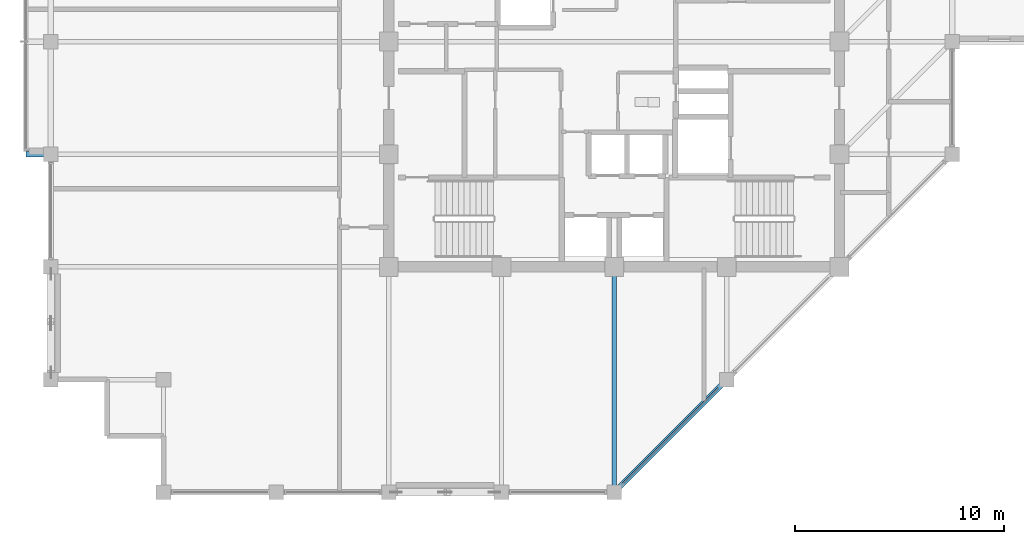
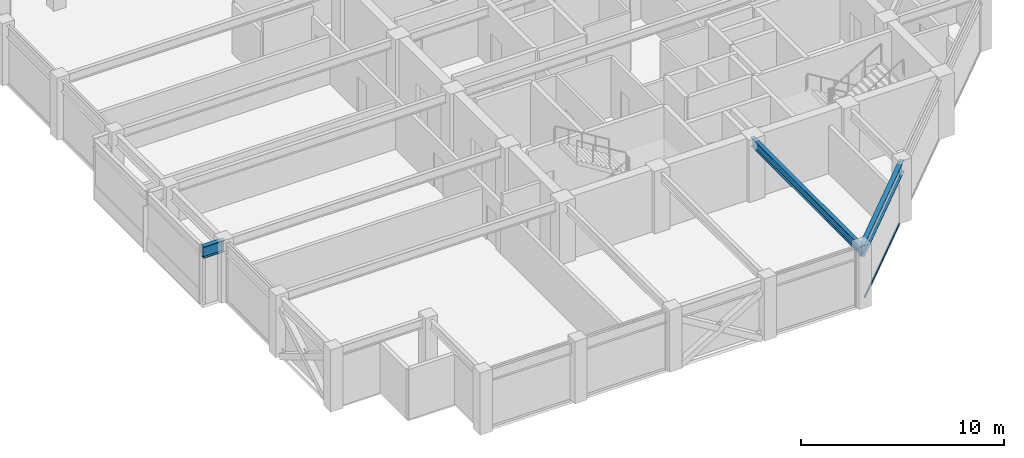
# One storey, part 7 of 32: 3 beams, 1 member, 1 element without a shape of its own.
"""IFC4 building model written with IfcOpenShell, lengths in metres."""

from ifc_helpers import new_model, si_unit, direction, frame, origin, origin_2d, place, context, subcontext, project, spatial, hollow_rectangle, i_section, extrude, material, layer, layer_set, material_profile, profile_set, type_object, element, aggregate, save


model = new_model("IFC4")

# Units and contexts
model_context = context("Model", 3, precision=1e-05, world=origin(), true_north=direction((0.0, 1.0)))
body_context = subcontext(model_context, "Body", "Model", "MODEL_VIEW")
ifc_project = project(units=[si_unit("LENGTHUNIT", "METRE"), si_unit("AREAUNIT", "SQUARE_METRE"), si_unit("VOLUMEUNIT", "CUBIC_METRE"), si_unit("PLANEANGLEUNIT", "RADIAN"), si_unit("MASSUNIT", "GRAM", prefix="KILO")], contexts=[model_context])

# Site, building, storey
site_placement = place(None, origin())
site = spatial("IfcSite", under=ifc_project, at=site_placement, CompositionType="ELEMENT")
building_placement = place(site_placement, origin())
building = spatial("IfcBuilding", under=site, at=building_placement, Name="Surkhivell Harbour Commons", CompositionType="ELEMENT")
storey_placement = place(building_placement, frame((0.0, 0.0, 311.25)))
storey = spatial("IfcBuildingStorey", under=building, at=storey_placement, Name="L81", CompositionType="ELEMENT", Elevation=311.25)

# Beams
ifc_material_1 = material(Name="Steel S460", Category="steel")
ifc_material_profile_1 = material_profile(ifc_material_1, i_section(OverallWidth=0.256103515625, OverallDepth=0.693115234375, WebThickness=0.014404296875, FlangeThickness=0.023681640625, at=origin_2d()), Name="UB686x254x170")
ifc_profile_set_1 = profile_set([ifc_material_profile_1], Name="Steel S460")
beam_type_1 = type_object("IfcBeamType", Name="BM-CNT-686", PredefinedType="BEAM", material=ifc_profile_set_1)
beam_1_placement = place(storey_placement, frame((-27.0, -5.39990234375, 3.223388671875), z_axis=(-1.0, 0.0, 0.0), x_axis=(0.0, -1.0, 0.0)))
element("IfcBeam", 1, at=beam_1_placement, inside=storey, type_object=beam_type_1, Name="L81 Box Cantilever Outrigger (-27.0,-5.4)", PredefinedType="BEAM", context=body_context, shape_type="SweptSolid", body=[
    extrude(i_section(OverallWidth=0.256103515625, OverallDepth=0.693115234375, WebThickness=0.014404296875, FlangeThickness=0.023681640625, at=origin_2d()), origin(), (0.0, 0.0, 1.0), 1.199951171875),
])
ifc_material_2 = material(Name="Steel S355", Category="steel")
ifc_material_profile_2 = material_profile(ifc_material_2, i_section(OverallWidth=0.2099609375, OverallDepth=0.537109375, WebThickness=0.0107421875, FlangeThickness=0.017333984375, at=origin_2d()), Name="UB533x210x101")
ifc_profile_set_2 = profile_set([ifc_material_profile_2], Name="Steel S355")
beam_type_2 = type_object("IfcBeamType", Name="BM-GRD-533B", PredefinedType="BEAM", material=ifc_profile_set_2)
beam_2_placement = place(storey_placement, frame((0.0, -21.60009765625, 3.301513671875), z_axis=(0.0, 1.0, 0.0), x_axis=(-1.0, 0.0, 0.0)))
element("IfcBeam", 2, at=beam_2_placement, inside=storey, type_object=beam_type_2, Name="L81 Floor Girder (0.0,-21.6)", PredefinedType="BEAM", context=body_context, shape_type="SweptSolid", body=[
    extrude(i_section(OverallWidth=0.2099609375, OverallDepth=0.537109375, WebThickness=0.0107421875, FlangeThickness=0.017333984375, at=origin_2d()), origin(), (0.0, 0.0, 1.0), 10.800048828125),
])
ifc_material_profile_3 = material_profile(ifc_material_2, i_section(OverallWidth=0.256103515625, OverallDepth=0.693115234375, WebThickness=0.014404296875, FlangeThickness=0.023681640625, at=origin_2d()), Name="UB686x254x170")
ifc_profile_set_3 = profile_set([ifc_material_profile_3], Name="Steel S355")
beam_type_3 = type_object("IfcBeamType", Name="BM-SPN-686", PredefinedType="SPANDREL", material=ifc_profile_set_3)
beam_3_placement = place(storey_placement, frame((0.0, -21.60009765625, 3.223388671875), z_axis=(0.707090796496, 0.707122765516, 0.0), x_axis=(-0.707122765516, 0.707090796496, 0.0)))
element("IfcBeam", 3, at=beam_3_placement, inside=storey, type_object=beam_type_3, Name="L81 Tube Spandrel (-0.0,-21.6)", PredefinedType="SPANDREL", context=body_context, shape_type="SweptSolid", body=[
    extrude(i_section(OverallWidth=0.256103515625, OverallDepth=0.693115234375, WebThickness=0.014404296875, FlangeThickness=0.023681640625, at=origin_2d()), origin(), (0.0, 0.0, 1.0), 7.63671875),
])

# Curtain wall, member
ifc_material_3 = material(Name="Anodised pale-metal aluminium and insulated glazing", Category="aluminium")
ifc_layer = layer(ifc_material_3, 0.175048828125)
ifc_layer_set = layer_set([ifc_layer], Name="Anodised pale-metal aluminium and insulated glazing")
curtain_wall_type = type_object("IfcCurtainWallType", Name="CW-SYS-Z4", PredefinedType="NOTDEFINED", material=ifc_layer_set)
curtain_wall_placement = place(storey_placement, origin())
curtain_wall = element("IfcCurtainWall", 4, at=curtain_wall_placement, inside=storey, type_object=curtain_wall_type, Name="L81 Curtain Wall CW-L81-E01", PredefinedType="NOTDEFINED")
ifc_material_4 = material(Name="Champagne anodised aluminium alloy 6063-T6", Category="aluminium")
ifc_material_profile_4 = material_profile(ifc_material_4, hollow_rectangle(XDim=0.070068359375, YDim=0.1298828125, WallThickness=0.00341796875, at=origin_2d()), Name="ALU-TRAN-70x130")
ifc_profile_set_4 = profile_set([ifc_material_profile_4], Name="Champagne anodised aluminium alloy 6063-T6")
member_type = type_object("IfcMemberType", Name="CWT-130", PredefinedType="USERDEFINED", material=ifc_profile_set_4)
member_placement = place(storey_placement, frame((0.404541015625, -21.1953125, 0.06494140625), z_axis=(0.707125583467, 0.707087978406, 0.0), x_axis=(-0.707087978406, 0.707125583467, 0.0)))
member = element("IfcMember", 5, at=member_placement, type_object=member_type, Name="CW-Z4 transom 1.1", ObjectType="TRANSOM", PredefinedType="USERDEFINED", context=body_context, shape_type="SweptSolid", body=[
    extrude(hollow_rectangle(XDim=0.070068359375, YDim=0.1298828125, WallThickness=0.00341796875, at=origin_2d()), origin(), (0.0, 0.0, 1.0), 6.4921875),
])
aggregate(curtain_wall, [member])

save(model, "model.ifc")
